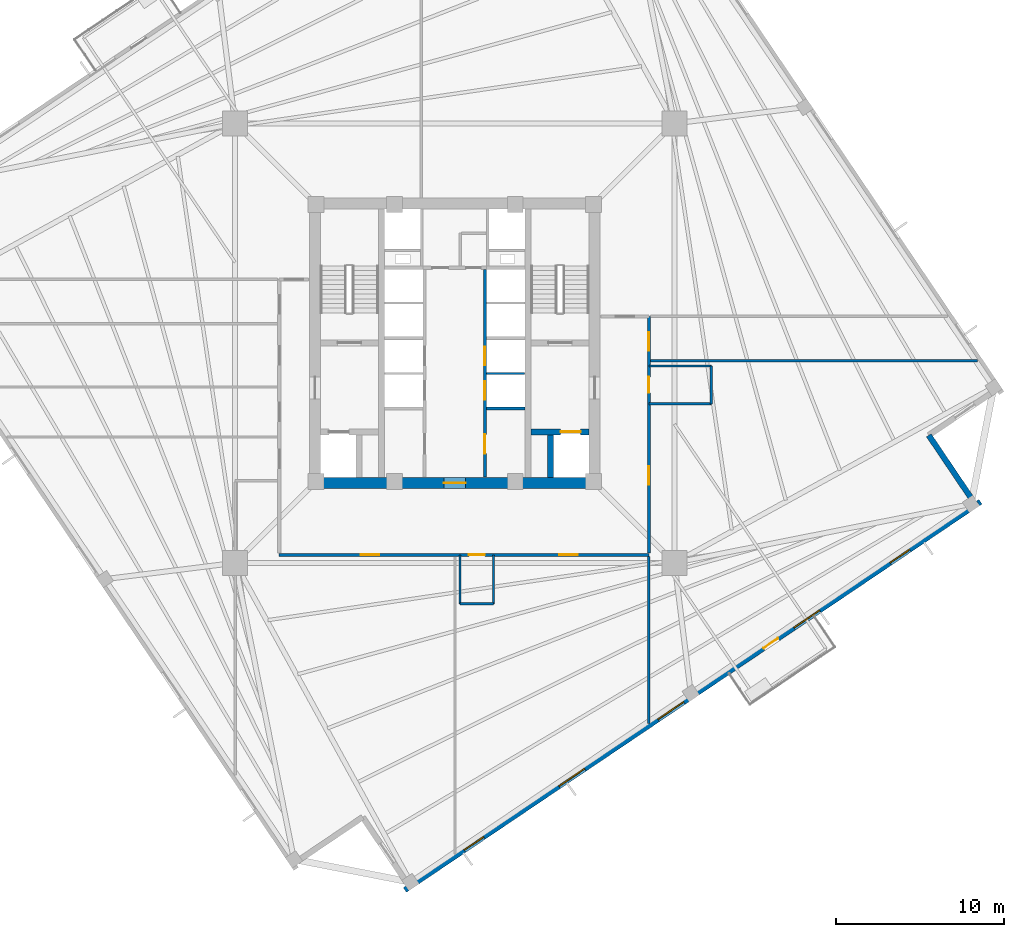
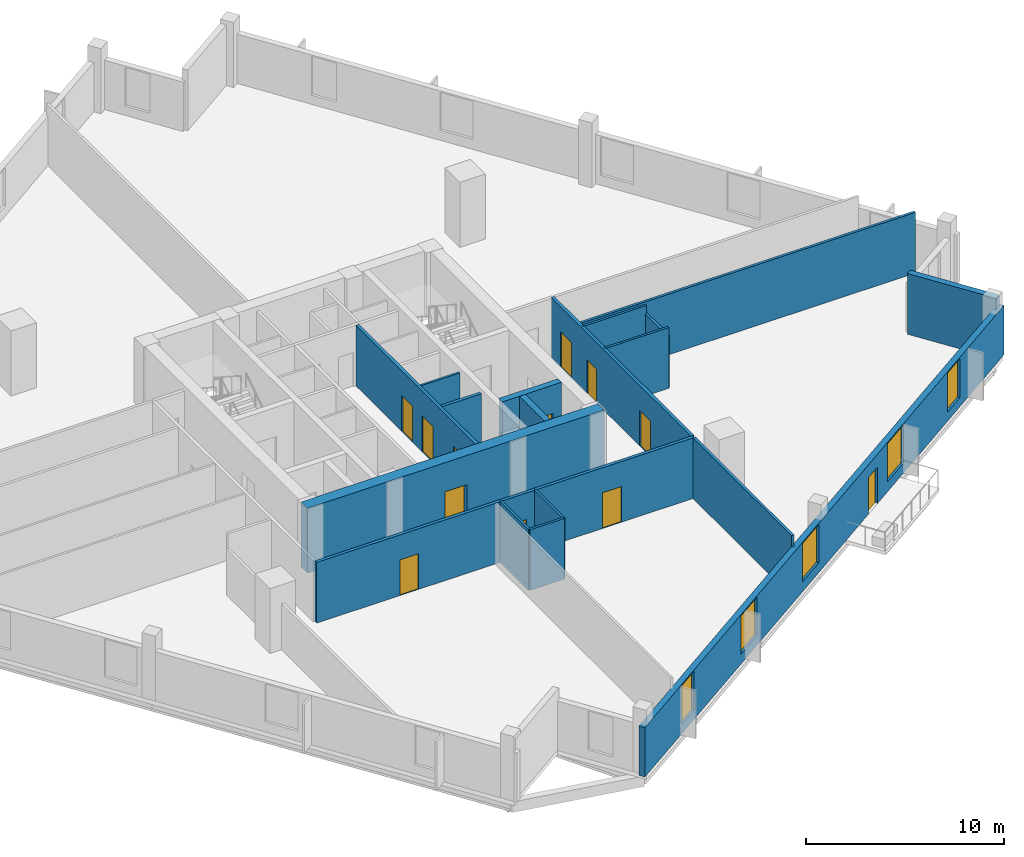
# One storey, part 3 of 8: 18 walls, 12 doors, 5 windows, 17 openings.
"""IFC4 building model written with IfcOpenShell, lengths in metres."""

import ifcopenshell
import ifcopenshell.guid

model = None  # the IFC model being written
_history = None  # IfcOwnerHistory: only IFC2X3 demands one
_inside = {}  # id of a spatial element -> (the spatial element, [elements in it])
_under = {}  # id of a project, library or spatial element -> (it, [spatial elements below it])
_declared = {}  # id of a project -> (the project, [libraries it declares])
_typed = {}  # id of a type object -> (the type object, [elements of that type])
_made_of = {}  # id of a material, layer set ... -> (it, [elements and type objects made of it])


def new_model(schema):
    """Start an empty IFC model of exactly this schema.

    Asked for "IFC4X3", IfcOpenShell would pick the latest addendum, in which some entities
    have other attributes; the version numbers below select the first issue.
    IFC2X3 requires an IfcOwnerHistory on every rooted entity: one is made here for all.
    """
    global model, _history
    if schema == "IFC4X3":
        model = ifcopenshell.file(schema_version=(4, 3, 0, 0))
    else:
        model = ifcopenshell.file(schema=schema)
    _inside.clear()
    _under.clear()
    _declared.clear()
    _typed.clear()
    _made_of.clear()
    _history = None
    if model.schema == "IFC2X3":
        org = make("IfcOrganization", Name="unknown")
        user = make(
            "IfcPersonAndOrganization",
            ThePerson=make("IfcPerson", FamilyName="unknown"),
            TheOrganization=org,
        )
        app = make(
            "IfcApplication",
            ApplicationDeveloper=org,
            Version="unknown",
            ApplicationFullName="unknown",
            ApplicationIdentifier="unknown",
        )
        _history = make(
            "IfcOwnerHistory",
            OwningUser=user,
            OwningApplication=app,
            ChangeAction="ADDED",
            CreationDate=0,
        )
    return model


def make(cls, **values):
    """One entity of the class cls with the attributes given. An attribute that is None is left unset."""
    return model.create_entity(
        cls, **{name: value for name, value in values.items() if value is not None}
    )


def rooted(cls, **values):
    """An entity with a GlobalId (a new one), such as an element, a storey or a relation."""
    return make(cls, GlobalId=ifcopenshell.guid.new(), OwnerHistory=_history, **values)


def si_unit(unit_type, name, prefix=None):
    """IfcSIUnit, for example si_unit("LENGTHUNIT", "METRE", prefix="MILLI")."""
    return make("IfcSIUnit", UnitType=unit_type, Prefix=prefix, Name=name)


def assignment(units):
    """IfcUnitAssignment: the units of a project."""
    return None if units is None else make("IfcUnitAssignment", Units=units)


def point(xyz):
    """IfcCartesianPoint."""
    return None if xyz is None else make("IfcCartesianPoint", Coordinates=xyz)


def direction(xyz):
    """IfcDirection."""
    return None if xyz is None else make("IfcDirection", DirectionRatios=xyz)


def frame(location, z_axis=None, x_axis=None):
    """IfcAxis2Placement3D, a coordinate frame: its origin and axes. An axis left out is left unset."""
    return make(
        "IfcAxis2Placement3D",
        Location=point(location),
        Axis=direction(z_axis),
        RefDirection=direction(x_axis),
    )


def frame_2d(location, x_axis=None):
    """IfcAxis2Placement2D, a coordinate frame in the plane: its origin and x axis."""
    return make(
        "IfcAxis2Placement2D", Location=point(location), RefDirection=direction(x_axis)
    )


def origin():
    """The frame at (0, 0, 0) with its axes left unset."""
    return frame((0.0, 0.0, 0.0))


def place(relative_to, where):
    """IfcLocalPlacement: puts the frame where relative to a parent placement (None: the world)."""
    return make(
        "IfcLocalPlacement", PlacementRelTo=relative_to, RelativePlacement=where
    )


def context(
    kind, dimensions, precision=None, world=None, true_north=None, identifier=None
):
    """IfcGeometricRepresentationContext, for example the 3D "Model" context."""
    return make(
        "IfcGeometricRepresentationContext",
        ContextIdentifier=identifier,
        ContextType=kind,
        CoordinateSpaceDimension=dimensions,
        Precision=precision,
        WorldCoordinateSystem=world,
        TrueNorth=true_north,
    )


def subcontext(parent, identifier, kind, view, scale=None):
    """IfcGeometricRepresentationSubContext, for example "Body" below "Model"."""
    return make(
        "IfcGeometricRepresentationSubContext",
        ContextIdentifier=identifier,
        ContextType=kind,
        ParentContext=parent,
        TargetScale=scale,
        TargetView=view,
    )


def project(units=None, contexts=None):
    """IfcProject with its units and contexts."""
    return rooted(
        "IfcProject",
        Name="project",
        RepresentationContexts=contexts,
        UnitsInContext=assignment(units),
    )


def spatial(cls, under=None, at=None, **own):
    """A site, building, storey or space (cls), placed at a placement, below another one or the project."""
    s = rooted(cls, ObjectPlacement=at, **own)
    if under is not None:
        _under.setdefault(under.id(), (under, []))[1].append(s)
    return s


def profile(cls, at=None, kind="AREA", **sizes):
    """A parametric profile (cls). Its sizes go by their IFC names, for example OverallWidth=200.0."""
    return make(cls, ProfileType=kind, Position=at, **sizes)


def rectangle(**sizes):
    """IfcRectangleProfileDef."""
    return profile("IfcRectangleProfileDef", **sizes)


def extrude(swept, where, along, depth):
    """IfcExtrudedAreaSolid: the profile swept, set in the frame where, extruded along a direction by depth."""
    return make(
        "IfcExtrudedAreaSolid",
        SweptArea=swept,
        Position=where,
        ExtrudedDirection=direction(along),
        Depth=depth,
    )


def shape(context_of_items, identifier, shape_type, items):
    """IfcShapeRepresentation: the items that make up one representation, for example the "Body"."""
    return make(
        "IfcShapeRepresentation",
        ContextOfItems=context_of_items,
        RepresentationIdentifier=identifier,
        RepresentationType=shape_type,
        Items=items,
    )


def source(mapping_origin, context_of_items, identifier, shape_type, items):
    """IfcRepresentationMap: a shape defined once, which mapped items show again and again."""
    return make(
        "IfcRepresentationMap",
        MappingOrigin=mapping_origin,
        MappedRepresentation=shape(context_of_items, identifier, shape_type, items),
    )


def transform(
    local_origin,
    x_axis=None,
    y_axis=None,
    z_axis=None,
    scale=None,
    scale2=None,
    scale3=None,
    uniform=True,
):
    """IfcCartesianTransformationOperator3D, or its non-uniform kind. x_axis, y_axis, z_axis: its Axis1, 2, 3."""
    if uniform:
        return make(
            "IfcCartesianTransformationOperator3D",
            Axis1=direction(x_axis),
            Axis2=direction(y_axis),
            LocalOrigin=point(local_origin),
            Scale=scale,
            Axis3=direction(z_axis),
        )
    return make(
        "IfcCartesianTransformationOperator3DnonUniform",
        Axis1=direction(x_axis),
        Axis2=direction(y_axis),
        LocalOrigin=point(local_origin),
        Scale=scale,
        Axis3=direction(z_axis),
        Scale2=scale2,
        Scale3=scale3,
    )


def mapped(mapping_source, mapping_target):
    """IfcMappedItem: shows the shape of a source again, moved by a transform."""
    return make(
        "IfcMappedItem", MappingSource=mapping_source, MappingTarget=mapping_target
    )


def material(Name=None, Category=None):
    """IfcMaterial."""
    return make("IfcMaterial", Name=Name, Category=Category)


def layer(
    of_material, thickness, ventilated=None, Name=None, Category=None, Priority=None
):
    """IfcMaterialLayer: one layer of a wall or slab, of a material (None: an air gap)."""
    return make(
        "IfcMaterialLayer",
        Material=of_material,
        LayerThickness=thickness,
        IsVentilated=ventilated,
        Name=Name,
        Category=Category,
        Priority=Priority,
    )


def layer_set(layers, Name=None):
    """IfcMaterialLayerSet."""
    return make("IfcMaterialLayerSet", MaterialLayers=layers, LayerSetName=Name)


def made_of(thing, what):
    """Note that an element or type object is made of a material, layer set ...; save() writes the relation."""
    if what is not None:
        _made_of.setdefault(what.id(), (what, []))[1].append(thing)
    return thing


def type_object(cls, material=None, **own):
    """A type object (cls), such as IfcWallType, which elements share."""
    return made_of(rooted(cls, **own), material)


def element(
    cls,
    number,
    at=None,
    inside=None,
    cuts=None,
    type_object=None,
    material=None,
    context=None,
    identifier="Body",
    shape_type=None,
    held_by="IfcProductDefinitionShape",
    body=None,
    shapes=None,
    **own,
):
    """One element of the class cls, such as IfcWall. Its Tag is "e" and its number.

    at: its placement. inside: the storey or other place that contains it. cuts: it is an
    opening in that element (IfcRelVoidsElement). A single representation is given by context,
    identifier, shape_type and body (its items); several are given by shapes. held_by: the class
    of the entity that holds the representations. save() writes the other relations.
    """
    e = rooted(cls, Tag="e%d" % number, ObjectPlacement=at, **own)
    if body is not None:
        shapes = [shape(context, identifier, shape_type, body)]
    if shapes is not None:
        e.Representation = make(held_by, Representations=shapes)
    if inside is not None:
        _inside.setdefault(inside.id(), (inside, []))[1].append(e)
    if cuts is not None:
        rooted(
            "IfcRelVoidsElement", RelatingBuildingElement=cuts, RelatedOpeningElement=e
        )
    if type_object is not None:
        _typed.setdefault(type_object.id(), (type_object, []))[1].append(e)
    return made_of(e, material)


def fill(opening, filler):
    """IfcRelFillsElement: the door or window that sits in an opening."""
    return rooted(
        "IfcRelFillsElement",
        RelatingOpeningElement=opening,
        RelatedBuildingElement=filler,
    )


def aggregate(whole, parts):
    """IfcRelAggregates: a whole, such as a stair, and the parts it consists of."""
    return rooted("IfcRelAggregates", RelatingObject=whole, RelatedObjects=parts)


def save(model, path):
    """Write the relations noted so far, then the file.

    IfcRelAggregates (storeys below a building ...), IfcRelContainedInSpatialStructure (elements
    in a storey), IfcRelDefinesByType, IfcRelAssociatesMaterial and IfcRelDeclares: one each for
    every whole, place, type object, material and project.
    """
    for whole, parts in _under.values():
        aggregate(whole, parts)
    for where, things in _inside.values():
        rooted(
            "IfcRelContainedInSpatialStructure",
            RelatedElements=things,
            RelatingStructure=where,
        )
    for kind, things in _typed.values():
        rooted("IfcRelDefinesByType", RelatedObjects=things, RelatingType=kind)
    for what, things in _made_of.values():
        rooted("IfcRelAssociatesMaterial", RelatedObjects=things, RelatingMaterial=what)
    for by, libraries in _declared.values():
        rooted("IfcRelDeclares", RelatingContext=by, RelatedDefinitions=libraries)
    model.write(path)


model = new_model("IFC4")

# Units and contexts
model_context = context("Model", 3, precision=1e-05, world=origin(), true_north=direction((0.0, 1.0)))
body_context = subcontext(model_context, "Body", "Model", "MODEL_VIEW")
ifc_project = project(units=[si_unit("LENGTHUNIT", "METRE"), si_unit("AREAUNIT", "SQUARE_METRE"), si_unit("VOLUMEUNIT", "CUBIC_METRE"), si_unit("PLANEANGLEUNIT", "RADIAN"), si_unit("MASSUNIT", "GRAM", prefix="KILO"), si_unit("THERMODYNAMICTEMPERATUREUNIT", "KELVIN")], contexts=[model_context])

# Site, building, storey
site_placement = place(None, origin())
site = spatial("IfcSite", under=ifc_project, at=site_placement, CompositionType="ELEMENT")
building_placement = place(site_placement, origin())
building = spatial("IfcBuilding", under=site, at=building_placement, Name="Kosmvard Interchange Tower", CompositionType="ELEMENT")
storey_placement = place(building_placement, frame((0.0, 0.0, 184.39990234375)))
storey = spatial("IfcBuildingStorey", under=building, at=storey_placement, Name="L44", CompositionType="ELEMENT", Elevation=184.39990234375)

# Walls
ifc_material_1 = material(Name="Acoustic gypsum partition system")
ifc_layer_1 = layer(ifc_material_1, 0.14990234375, Name="Acoustic gypsum partition system")
ifc_layer_set_1 = layer_set([ifc_layer_1], Name="Acoustic gypsum partition system")
wall_type_1 = type_object("IfcWallType", Name="Acoustic Suite & Meeting Partition 150", PredefinedType="PARTITIONING", material=ifc_layer_set_1)
wall_1_placement = place(storey_placement, frame((11.64501953125, -1.050048828125, 0.0), z_axis=(0.0, 0.0, 1.0), x_axis=(1.0, 0.0, 0.0)))
element("IfcWall", 1, at=wall_1_placement, inside=storey, type_object=wall_type_1, Name="L44 Room Partition 04.1", PredefinedType="PARTITIONING", context=body_context, shape_type="SweptSolid", body=[
    extrude(rectangle(XDim=19.489990234375, YDim=0.14990234375, at=frame_2d((9.7451171875, 0.0))), origin(), (0.0, 0.0, 1.0), 3.739990234375),
])
wall_2_placement = place(storey_placement, frame((11.550048828125, -22.63623046875, 0.0), z_axis=(0.0, 0.0, 1.0), x_axis=(0.0, 1.0, 0.0)))
element("IfcWall", 2, at=wall_2_placement, inside=storey, type_object=wall_type_1, Name="L44 Room Partition 11.1", PredefinedType="PARTITIONING", context=body_context, shape_type="SweptSolid", body=[
    extrude(rectangle(XDim=9.941162109375, YDim=0.14990234375, at=frame_2d((4.970703125, 0.0))), origin(), (0.0, 0.0, 1.0), 3.739990234375),
])

# Wall, openings, doors
ifc_material_2 = material(Name="Fire-rated gypsum partition system")
ifc_layer_2 = layer(ifc_material_2, 0.179931640625, Name="Fire-rated gypsum partition system")
ifc_layer_set_2 = layer_set([ifc_layer_2], Name="Fire-rated gypsum partition system")
wall_type_2 = type_object("IfcWallType", Name="Corridor & Hotel Compartment Partition 180", PredefinedType="PARTITIONING", material=ifc_layer_set_2)
wall_3_placement = place(storey_placement, frame((1.7900390625, -7.97998046875, 0.0), z_axis=(0.0, 0.0, 1.0), x_axis=(0.0, 1.0, 0.0)))
wall_3 = element("IfcWall", 3, at=wall_3_placement, inside=storey, type_object=wall_type_2, Name="L44 East Lift Bank Front Wall", PredefinedType="PARTITIONING", context=body_context, shape_type="SweptSolid", body=[
    extrude(rectangle(XDim=12.3798828125, YDim=0.179931640625, at=frame_2d((6.18994140625, 0.0))), origin(), (0.0, 0.0, 1.0), 3.739990234375),
])
opening_1_placement = place(wall_3_placement, frame((4.60009765625, 0.0, 0.0)))
opening_1 = element("IfcOpeningElement", 4, at=opening_1_placement, cuts=wall_3, Name="Opening LD-PL-M3-L44", PredefinedType="OPENING", context=body_context, shape_type="SweptSolid", body=[
    extrude(rectangle(XDim=1.10009765625, YDim=2.199951171875, at=frame_2d((0.550048828125, 1.10009765625))), frame((0.0, 0.10009765625, 0.0), z_axis=(0.0, -1.0, 0.0), x_axis=(1.0, 0.0, 0.0)), (0.0, 0.0, 1.0), 0.199951171875),
])
opening_2_placement = place(wall_3_placement, frame((6.659912109375, 0.0, 0.0)))
opening_2 = element("IfcOpeningElement", 5, at=opening_2_placement, cuts=wall_3, Name="Opening LD-PL-M4-L44", PredefinedType="OPENING", context=body_context, shape_type="SweptSolid", body=[
    extrude(rectangle(XDim=1.10009765625, YDim=2.199951171875, at=frame_2d((0.550048828125, 1.10009765625))), frame((0.0, 0.10009765625, 0.0), z_axis=(0.0, -1.0, 0.0), x_axis=(1.0, 0.0, 0.0)), (0.0, 0.0, 1.0), 0.199951171875),
])
opening_3_placement = place(wall_3_placement, frame((1.39990234375, 0.0, 0.0)))
opening_3 = element("IfcOpeningElement", 6, at=opening_3_placement, cuts=wall_3, Name="Opening L44-CD2", PredefinedType="OPENING", context=body_context, shape_type="SweptSolid", body=[
    extrude(rectangle(XDim=1.14990234375, YDim=2.25, at=frame_2d((0.574951171875, 1.125))), frame((0.0, 0.10009765625, 0.0), z_axis=(0.0, -1.0, 0.0), x_axis=(1.0, 0.0, 0.0)), (0.0, 0.0, 1.0), 0.199951171875),
])
ifc_material_3 = material(Name="Painted fire-rated steel leaf", Category="steel")
door_type_1 = type_object("IfcDoorType", Name="Plant & Riser Fire Door 1150x2250 EI60", OperationType="NOTDEFINED", PredefinedType="DOOR", material=ifc_material_3)
shared_shape_1 = source(origin(), body_context, "Body", "SweptSolid", [
    extrude(rectangle(XDim=1.14990234375, YDim=2.25, at=frame_2d((0.574951171875, 1.125))), frame((0.0, 0.02490234375, 0.0), z_axis=(0.0, -1.0, 0.0), x_axis=(1.0, 0.0, 0.0)), (0.0, 0.0, 1.0), 0.050048828125),
])
door_1_placement = place(opening_3_placement, frame((1.14990234375, 0.0, 0.0), z_axis=(0.0, 0.0, 1.0), x_axis=(-1.0, 0.0, 0.0)))
door_1 = element("IfcDoor", 7, at=door_1_placement, inside=storey, type_object=door_type_1, Name="L44 Core BMS Door", OperationType="SINGLE_SWING_RIGHT", OverallHeight=2.25, OverallWidth=1.14990234375, PredefinedType="DOOR", context=body_context, shape_type="MappedRepresentation", body=[
    mapped(shared_shape_1, transform((0.0, 0.0, 0.0), scale=1.0)),
])
fill(opening_3, door_1)
ifc_material_4 = material(Name="Brushed stainless steel sliding leaf", Category="steel")
door_type_2 = type_object("IfcDoorType", Name="Passenger Lift Sliding Landing Door 1100x2200 EI60", OperationType="DOUBLE_DOOR_SLIDING", PredefinedType="DOOR", material=ifc_material_4)
shared_shape_2 = source(origin(), body_context, "Body", "SweptSolid", [
    extrude(rectangle(XDim=1.10009765625, YDim=2.199951171875, at=frame_2d((0.550048828125, 1.10009765625))), frame((0.0, 0.02490234375, 0.0), z_axis=(0.0, -1.0, 0.0), x_axis=(1.0, 0.0, 0.0)), (0.0, 0.0, 1.0), 0.050048828125),
])
door_2_placement = place(opening_1_placement, origin())
door_2 = element("IfcDoor", 8, at=door_2_placement, inside=storey, type_object=door_type_2, Name="Lift PL-M3 Landing Door L44", OperationType="DOUBLE_DOOR_SLIDING", OverallHeight=2.199951171875, OverallWidth=1.10009765625, PredefinedType="DOOR", context=body_context, shape_type="MappedRepresentation", body=[
    mapped(shared_shape_2, transform((0.0, 0.0, 0.0), scale=1.0)),
])
fill(opening_1, door_2)
door_3_placement = place(opening_2_placement, origin())
door_3 = element("IfcDoor", 9, at=door_3_placement, inside=storey, type_object=door_type_2, Name="Lift PL-M4 Landing Door L44", OperationType="DOUBLE_DOOR_SLIDING", OverallHeight=2.199951171875, OverallWidth=1.10009765625, PredefinedType="DOOR", context=body_context, shape_type="MappedRepresentation", body=[
    mapped(shared_shape_2, transform((0.0, 0.0, 0.0), scale=1.0)),
])
fill(opening_2, door_3)

wall_4_placement = place(storey_placement, frame((-10.449951171875, -12.60009765625, 0.0), z_axis=(0.0, 0.0, 1.0), x_axis=(1.0, 0.0, 0.0)))
wall_4 = element("IfcWall", 10, at=wall_4_placement, inside=storey, type_object=wall_type_2, Name="L44 Corridor Wall CS", PredefinedType="PARTITIONING", context=body_context, shape_type="SweptSolid", body=[
    extrude(rectangle(XDim=22.0, YDim=0.179931640625, at=frame_2d((11.0, 0.0))), origin(), (0.0, 0.0, 1.0), 3.739990234375),
])
opening_4_placement = place(wall_4_placement, frame((11.2861328125, 0.0, 0.0)))
opening_4 = element("IfcOpeningElement", 11, at=opening_4_placement, cuts=wall_4, Name="Opening L44-D01", PredefinedType="OPENING", context=body_context, shape_type="SweptSolid", body=[
    extrude(rectangle(XDim=0.949951171875, YDim=2.10009765625, at=frame_2d((0.47509765625, 1.050048828125))), frame((0.0, 0.10009765625, 0.0), z_axis=(0.0, -1.0, 0.0), x_axis=(1.0, 0.0, 0.0)), (0.0, 0.0, 1.0), 0.199951171875),
])
opening_5_placement = place(wall_4_placement, frame((4.83935546875, 0.0, 0.0)))
opening_5 = element("IfcOpeningElement", 12, at=opening_5_placement, cuts=wall_4, Name="Opening L44-D10", PredefinedType="OPENING", context=body_context, shape_type="SweptSolid", body=[
    extrude(rectangle(XDim=1.10009765625, YDim=2.199951171875, at=frame_2d((0.550048828125, 1.10009765625))), frame((0.0, 0.10009765625, 0.0), z_axis=(0.0, -1.0, 0.0), x_axis=(1.0, 0.0, 0.0)), (0.0, 0.0, 1.0), 0.199951171875),
])
opening_6_placement = place(wall_4_placement, frame((16.66015625, 0.0, 0.0)))
opening_6 = element("IfcOpeningElement", 13, at=opening_6_placement, cuts=wall_4, Name="Opening L44-D11", PredefinedType="OPENING", context=body_context, shape_type="SweptSolid", body=[
    extrude(rectangle(XDim=1.10009765625, YDim=2.199951171875, at=frame_2d((0.550048828125, 1.10009765625))), frame((0.0, 0.10009765625, 0.0), z_axis=(0.0, -1.0, 0.0), x_axis=(1.0, 0.0, 0.0)), (0.0, 0.0, 1.0), 0.199951171875),
])
ifc_material_5 = material(Name="Laminated moisture-resistant timber", Category="wood")
door_type_3 = type_object("IfcDoorType", Name="Accessible Washroom Door 950x2100", OperationType="NOTDEFINED", PredefinedType="DOOR", material=ifc_material_5)
shared_shape_3 = source(origin(), body_context, "Body", "SweptSolid", [
    extrude(rectangle(XDim=0.949951171875, YDim=2.10009765625, at=frame_2d((0.47509765625, 1.050048828125))), frame((0.0, 0.02490234375, 0.0), z_axis=(0.0, -1.0, 0.0), x_axis=(1.0, 0.0, 0.0)), (0.0, 0.0, 1.0), 0.050048828125),
])
door_4_placement = place(opening_4_placement, frame((0.949951171875, 0.0, 0.0), z_axis=(0.0, 0.0, 1.0), x_axis=(-1.0, 0.0, 0.0)))
door_4 = element("IfcDoor", 14, at=door_4_placement, inside=storey, type_object=door_type_3, Name="L44 Accessible Toilet Door", OperationType="SINGLE_SWING_LEFT", OverallHeight=2.10009765625, OverallWidth=0.949951171875, PredefinedType="DOOR", context=body_context, shape_type="MappedRepresentation", body=[
    mapped(shared_shape_3, transform((0.0, 0.0, 0.0), scale=1.0)),
])
fill(opening_4, door_4)
ifc_material_6 = material(Name="Engineered oak fire-rated timber", Category="wood")
door_type_4 = type_object("IfcDoorType", Name="Office Suite Entrance Door 1100x2200 FD30S", OperationType="NOTDEFINED", PredefinedType="DOOR", material=ifc_material_6)
door_5_placement = place(opening_5_placement, frame((1.10009765625, 0.0, 0.0), z_axis=(0.0, 0.0, 1.0), x_axis=(-1.0, 0.0, 0.0)))
door_5 = element("IfcDoor", 15, at=door_5_placement, inside=storey, type_object=door_type_4, Name="L44 Sky Terrace Espresso Cafe Door", OperationType="SINGLE_SWING_RIGHT", OverallHeight=2.199951171875, OverallWidth=1.10009765625, PredefinedType="DOOR", context=body_context, shape_type="MappedRepresentation", body=[
    mapped(shared_shape_2, transform((0.0, 0.0, 0.0), scale=1.0)),
])
fill(opening_5, door_5)
door_6_placement = place(opening_6_placement, frame((1.10009765625, 0.0, 0.0), z_axis=(0.0, 0.0, 1.0), x_axis=(-1.0, 0.0, 0.0)))
door_6 = element("IfcDoor", 16, at=door_6_placement, inside=storey, type_object=door_type_4, Name="L44 Operations Boardroom 1 Door", OperationType="SINGLE_SWING_LEFT", OverallHeight=2.199951171875, OverallWidth=1.10009765625, PredefinedType="DOOR", context=body_context, shape_type="MappedRepresentation", body=[
    mapped(shared_shape_2, transform((0.0, 0.0, 0.0), scale=1.0)),
])
fill(opening_6, door_6)

wall_5_placement = place(storey_placement, frame((11.550048828125, -12.5, 0.0), z_axis=(0.0, 0.0, 1.0), x_axis=(0.0, 1.0, 0.0)))
wall_5 = element("IfcWall", 17, at=wall_5_placement, inside=storey, type_object=wall_type_2, Name="L44 Corridor Wall CE", PredefinedType="PARTITIONING", context=body_context, shape_type="SweptSolid", body=[
    extrude(rectangle(XDim=14.10009765625, YDim=0.179931640625, at=frame_2d((7.050048828125, 0.0))), origin(), (0.0, 0.0, 1.0), 3.739990234375),
])
opening_7_placement = place(wall_5_placement, frame((9.538818359375, 0.0, 0.0)))
opening_7 = element("IfcOpeningElement", 18, at=opening_7_placement, cuts=wall_5, Name="Opening L44-D02", PredefinedType="OPENING", context=body_context, shape_type="SweptSolid", body=[
    extrude(rectangle(XDim=0.949951171875, YDim=2.10009765625, at=frame_2d((0.47509765625, 1.050048828125))), frame((0.0, 0.10009765625, 0.0), z_axis=(0.0, -1.0, 0.0), x_axis=(1.0, 0.0, 0.0)), (0.0, 0.0, 1.0), 0.199951171875),
])
opening_8_placement = place(wall_5_placement, frame((12.060546875, 0.0, 0.0)))
opening_8 = element("IfcOpeningElement", 19, at=opening_8_placement, cuts=wall_5, Name="Opening L44-D06", PredefinedType="OPENING", context=body_context, shape_type="SweptSolid", body=[
    extrude(rectangle(XDim=1.10009765625, YDim=2.199951171875, at=frame_2d((0.550048828125, 1.10009765625))), frame((0.0, 0.10009765625, 0.0), z_axis=(0.0, -1.0, 0.0), x_axis=(1.0, 0.0, 0.0)), (0.0, 0.0, 1.0), 0.199951171875),
])
opening_9_placement = place(wall_5_placement, frame((4.06494140625, 0.0, 0.0)))
opening_9 = element("IfcOpeningElement", 20, at=opening_9_placement, cuts=wall_5, Name="Opening L44-D12", PredefinedType="OPENING", context=body_context, shape_type="SweptSolid", body=[
    extrude(rectangle(XDim=1.10009765625, YDim=2.199951171875, at=frame_2d((0.550048828125, 1.10009765625))), frame((0.0, 0.10009765625, 0.0), z_axis=(0.0, -1.0, 0.0), x_axis=(1.0, 0.0, 0.0)), (0.0, 0.0, 1.0), 0.199951171875),
])
door_7_placement = place(opening_7_placement, frame((0.949951171875, 0.0, 0.0), z_axis=(0.0, 0.0, 1.0), x_axis=(-1.0, 0.0, 0.0)))
door_7 = element("IfcDoor", 21, at=door_7_placement, inside=storey, type_object=door_type_3, Name="L44 Public Floor Washroom Door", OperationType="SINGLE_SWING_RIGHT", OverallHeight=2.10009765625, OverallWidth=0.949951171875, PredefinedType="DOOR", context=body_context, shape_type="MappedRepresentation", body=[
    mapped(shared_shape_3, transform((0.0, 0.0, 0.0), scale=1.0)),
])
fill(opening_7, door_7)
door_8_placement = place(opening_8_placement, frame((1.10009765625, 0.0, 0.0), z_axis=(0.0, 0.0, 1.0), x_axis=(-1.0, 0.0, 0.0)))
door_8 = element("IfcDoor", 22, at=door_8_placement, inside=storey, type_object=door_type_4, Name="L44 Tech Staff Fitness Studio Door", OperationType="SINGLE_SWING_RIGHT", OverallHeight=2.199951171875, OverallWidth=1.10009765625, PredefinedType="DOOR", context=body_context, shape_type="MappedRepresentation", body=[
    mapped(shared_shape_2, transform((0.0, 0.0, 0.0), scale=1.0)),
])
fill(opening_8, door_8)
door_9_placement = place(opening_9_placement, frame((1.10009765625, 0.0, 0.0), z_axis=(0.0, 0.0, 1.0), x_axis=(-1.0, 0.0, 0.0)))
door_9 = element("IfcDoor", 23, at=door_9_placement, inside=storey, type_object=door_type_4, Name="L44 South-East Open DevOps Studio Door", OperationType="SINGLE_SWING_RIGHT", OverallHeight=2.199951171875, OverallWidth=1.10009765625, PredefinedType="DOOR", context=body_context, shape_type="MappedRepresentation", body=[
    mapped(shared_shape_2, transform((0.0, 0.0, 0.0), scale=1.0)),
])
fill(opening_9, door_9)

# Wall, opening, door
ifc_material_7 = material(Name="Concrete C70/85", Category="concrete")
ifc_layer_3 = layer(ifc_material_7, 0.64990234375, Name="Concrete C70/85")
ifc_layer_set_3 = layer_set([ifc_layer_3], Name="Concrete C70/85")
wall_type_3 = type_object("IfcWallType", Name="Mid Core Shear Wall 650 C70/85", PredefinedType="SHEAR", material=ifc_layer_set_3)
wall_6_placement = place(storey_placement, frame((-8.64990234375, -8.324951171875, 0.0), z_axis=(0.0, 0.0, 1.0), x_axis=(1.0, 0.0, 0.0)))
wall_6 = element("IfcWall", 24, at=wall_6_placement, inside=storey, type_object=wall_type_3, Name="L44 Core Shear Wall CW-S", PredefinedType="SHEAR", context=body_context, shape_type="SweptSolid", body=[
    extrude(rectangle(XDim=17.2998046875, YDim=0.64990234375, at=frame_2d((8.64990234375, 0.0))), origin(), (0.0, 0.0, 1.0), 4.0),
])
opening_10_placement = place(wall_6_placement, frame((8.0, 0.0, 0.0)))
opening_10 = element("IfcOpeningElement", 25, at=opening_10_placement, cuts=wall_6, Name="Opening L44-LD0", PredefinedType="OPENING", context=body_context, shape_type="SweptSolid", body=[
    extrude(rectangle(XDim=1.300048828125, YDim=2.199951171875, at=frame_2d((0.64990234375, 1.10009765625))), frame((0.0, 0.3349609375, 0.0), z_axis=(0.0, -1.0, 0.0), x_axis=(1.0, 0.0, 0.0)), (0.0, 0.0, 1.0), 0.669921875),
])
door_type_5 = type_object("IfcDoorType", Name="Firefighting Lobby Door 1300x2200 EI60", OperationType="NOTDEFINED", PredefinedType="DOOR", material=ifc_material_3)
shared_shape_4 = source(origin(), body_context, "Body", "SweptSolid", [
    extrude(rectangle(XDim=1.300048828125, YDim=2.199951171875, at=frame_2d((0.64990234375, 1.10009765625))), frame((0.0, 0.02490234375, 0.0), z_axis=(0.0, -1.0, 0.0), x_axis=(1.0, 0.0, 0.0)), (0.0, 0.0, 1.0), 0.050048828125),
])
door_10_placement = place(opening_10_placement, frame((1.300048828125, 0.0, 0.0), z_axis=(0.0, 0.0, 1.0), x_axis=(-1.0, 0.0, 0.0)))
door_10 = element("IfcDoor", 26, at=door_10_placement, inside=storey, type_object=door_type_5, Name="L44 Passenger Lift Lobby South Door", OperationType="SINGLE_SWING_RIGHT", OverallHeight=2.199951171875, OverallWidth=1.300048828125, PredefinedType="DOOR", context=body_context, shape_type="MappedRepresentation", body=[
    mapped(shared_shape_4, transform((0.0, 0.0, 0.0), scale=1.0)),
])
fill(opening_10, door_10)

# Wall, openings, door, windows
ifc_material_8 = material(Name="Precast concrete C45/55", Category="concrete")
ifc_layer_4 = layer(ifc_material_8, 0.340087890625, Name="Precast concrete C45/55")
ifc_layer_set_4 = layer_set([ifc_layer_4], Name="Precast concrete C45/55")
wall_type_4 = type_object("IfcWallType", Name="Mid Tower Precast Pier Wall 340 C45/55", PredefinedType="STANDARD", material=ifc_layer_set_4)
wall_7_placement = place(storey_placement, frame((-2.971923828125, -32.55810546875, 0.0), z_axis=(0.0, 0.0, 1.0), x_axis=(0.829036218961, 0.559194910251, 0.0)))
wall_7 = element("IfcWall", 27, at=wall_7_placement, inside=storey, type_object=wall_type_4, Name="L44 Precast Facade Wall F-S", PredefinedType="STANDARD", context=body_context, shape_type="SweptSolid", body=[
    extrude(rectangle(XDim=41.340087890625, YDim=0.340087890625, at=frame_2d((20.669921875, 0.0))), origin(), (0.0, 0.0, 1.0), 3.0400390625),
])
opening_11_placement = place(wall_7_placement, frame((25.7451171875, 0.0, 0.0)))
opening_11 = element("IfcOpeningElement", 28, at=opening_11_placement, cuts=wall_7, Name="Opening L44-BDW", PredefinedType="OPENING", context=body_context, shape_type="SweptSolid", body=[
    extrude(rectangle(XDim=1.050048828125, YDim=2.25, at=frame_2d((0.52490234375, 1.125))), frame((0.0, 0.18017578125, 0.0), z_axis=(0.0, -1.0, 0.0), x_axis=(1.0, 0.0, 0.0)), (0.0, 0.0, 1.0), 0.360107421875),
])
opening_12_placement = place(wall_7_placement, frame((4.2607421875, 0.0, 0.56005859375)))
opening_12 = element("IfcOpeningElement", 29, at=opening_12_placement, cuts=wall_7, Name="Opening L44-W01", PredefinedType="OPENING", context=body_context, shape_type="SweptSolid", body=[
    extrude(rectangle(XDim=1.39990234375, YDim=2.39990234375, at=frame_2d((0.699951171875, 1.199951171875))), frame((0.0, 0.18017578125, 0.0), z_axis=(0.0, -1.0, 0.0), x_axis=(1.0, 0.0, 0.0)), (0.0, 0.0, 1.0), 0.360107421875),
])
opening_13_placement = place(wall_7_placement, frame((11.063720703125, 0.0, 0.610107421875)))
opening_13 = element("IfcOpeningElement", 30, at=opening_13_placement, cuts=wall_7, Name="Opening L44-W02", PredefinedType="OPENING", context=body_context, shape_type="SweptSolid", body=[
    extrude(rectangle(XDim=1.85009765625, YDim=2.35009765625, at=frame_2d((0.925048828125, 1.175048828125))), frame((0.0, 0.18017578125, 0.0), z_axis=(0.0, -1.0, 0.0), x_axis=(1.0, 0.0, 0.0)), (0.0, 0.0, 1.0), 0.360107421875),
])
opening_14_placement = place(wall_7_placement, frame((18.168212890625, 0.0, 0.610107421875)))
opening_14 = element("IfcOpeningElement", 31, at=opening_14_placement, cuts=wall_7, Name="Opening L44-W03", PredefinedType="OPENING", context=body_context, shape_type="SweptSolid", body=[
    extrude(rectangle(XDim=1.85009765625, YDim=2.35009765625, at=frame_2d((0.925048828125, 1.175048828125))), frame((0.0, 0.18017578125, 0.0), z_axis=(0.0, -1.0, 0.0), x_axis=(1.0, 0.0, 0.0)), (0.0, 0.0, 1.0), 0.360107421875),
])
opening_15_placement = place(wall_7_placement, frame((27.936279296875, 0.0, 0.610107421875)))
opening_15 = element("IfcOpeningElement", 32, at=opening_15_placement, cuts=wall_7, Name="Opening L44-W04", PredefinedType="OPENING", context=body_context, shape_type="SweptSolid", body=[
    extrude(rectangle(XDim=1.85009765625, YDim=2.35009765625, at=frame_2d((0.925048828125, 1.175048828125))), frame((0.0, 0.18017578125, 0.0), z_axis=(0.0, -1.0, 0.0), x_axis=(1.0, 0.0, 0.0)), (0.0, 0.0, 1.0), 0.360107421875),
])
opening_16_placement = place(wall_7_placement, frame((34.852294921875, 0.0, 0.56005859375)))
opening_16 = element("IfcOpeningElement", 33, at=opening_16_placement, cuts=wall_7, Name="Opening L44-W05", PredefinedType="OPENING", context=body_context, shape_type="SweptSolid", body=[
    extrude(rectangle(XDim=1.39990234375, YDim=2.39990234375, at=frame_2d((0.699951171875, 1.199951171875))), frame((0.0, 0.18017578125, 0.0), z_axis=(0.0, -1.0, 0.0), x_axis=(1.0, 0.0, 0.0)), (0.0, 0.0, 1.0), 0.360107421875),
])
ifc_material_9 = material(Name="Anodised aluminium and safety glass", Category="aluminium")
door_type_6 = type_object("IfcDoorType", Name="Tree-Balcony Glazed Door 1050x2250", OperationType="NOTDEFINED", PredefinedType="DOOR", material=ifc_material_9)
shared_shape_5 = source(origin(), body_context, "Body", "SweptSolid", [
    extrude(rectangle(XDim=1.050048828125, YDim=2.25, at=frame_2d((0.52490234375, 1.125))), frame((0.0, 0.02490234375, 0.0), z_axis=(0.0, -1.0, 0.0), x_axis=(1.0, 0.0, 0.0)), (0.0, 0.0, 1.0), 0.050048828125),
])
door_11_placement = place(opening_11_placement, origin())
door_11 = element("IfcDoor", 34, at=door_11_placement, inside=storey, type_object=door_type_6, Name="L44 Tree-Balcony Door BAL-L44-SW", OperationType="SINGLE_SWING_LEFT", OverallHeight=2.25, OverallWidth=1.050048828125, PredefinedType="DOOR", context=body_context, shape_type="MappedRepresentation", body=[
    mapped(shared_shape_5, transform((0.0, 0.0, 0.0), scale=1.0)),
])
fill(opening_11, door_11)
ifc_material_10 = material(Name="Low-E solar-control double glazing", Category="glass")
window_type_1 = type_object("IfcWindowType", Name="Notched Corner Feature Window 1400x2400", PartitioningType="SINGLE_PANEL", PredefinedType="WINDOW", material=ifc_material_10)
shared_shape_6 = source(origin(), body_context, "Body", "SweptSolid", [
    extrude(rectangle(XDim=1.39990234375, YDim=2.39990234375, at=frame_2d((0.699951171875, 1.199951171875))), frame((0.0, 0.030029296875, 0.0), z_axis=(0.0, -1.0, 0.0), x_axis=(1.0, 0.0, 0.0)), (0.0, 0.0, 1.0), 0.06005859375),
])
window_1_placement = place(opening_12_placement, origin())
window_1 = element("IfcWindow", 35, at=window_1_placement, inside=storey, type_object=window_type_1, Name="L44 Facade Punched Window 01", OverallHeight=2.39990234375, OverallWidth=1.39990234375, PartitioningType="SINGLE_PANEL", PredefinedType="WINDOW", context=body_context, shape_type="MappedRepresentation", body=[
    mapped(shared_shape_6, transform((0.0, 0.0, 0.0), scale=1.0)),
])
fill(opening_12, window_1)
window_2_placement = place(opening_16_placement, origin())
window_2 = element("IfcWindow", 36, at=window_2_placement, inside=storey, type_object=window_type_1, Name="L44 Facade Punched Window 05", OverallHeight=2.39990234375, OverallWidth=1.39990234375, PartitioningType="SINGLE_PANEL", PredefinedType="WINDOW", context=body_context, shape_type="MappedRepresentation", body=[
    mapped(shared_shape_6, transform((0.0, 0.0, 0.0), scale=1.0)),
])
fill(opening_16, window_2)
window_type_2 = type_object("IfcWindowType", Name="Zone 3 Office Punched Window 1850x2350", PartitioningType="SINGLE_PANEL", PredefinedType="WINDOW", material=ifc_material_10)
shared_shape_7 = source(origin(), body_context, "Body", "SweptSolid", [
    extrude(rectangle(XDim=1.85009765625, YDim=2.35009765625, at=frame_2d((0.925048828125, 1.175048828125))), frame((0.0, 0.030029296875, 0.0), z_axis=(0.0, -1.0, 0.0), x_axis=(1.0, 0.0, 0.0)), (0.0, 0.0, 1.0), 0.06005859375),
])
window_3_placement = place(opening_13_placement, origin())
window_3 = element("IfcWindow", 37, at=window_3_placement, inside=storey, type_object=window_type_2, Name="L44 Facade Punched Window 02", OverallHeight=2.35009765625, OverallWidth=1.85009765625, PartitioningType="SINGLE_PANEL", PredefinedType="WINDOW", context=body_context, shape_type="MappedRepresentation", body=[
    mapped(shared_shape_7, transform((0.0, 0.0, 0.0), scale=1.0)),
])
fill(opening_13, window_3)
window_4_placement = place(opening_14_placement, origin())
window_4 = element("IfcWindow", 38, at=window_4_placement, inside=storey, type_object=window_type_2, Name="L44 Facade Punched Window 03", OverallHeight=2.35009765625, OverallWidth=1.85009765625, PartitioningType="SINGLE_PANEL", PredefinedType="WINDOW", context=body_context, shape_type="MappedRepresentation", body=[
    mapped(shared_shape_7, transform((0.0, 0.0, 0.0), scale=1.0)),
])
fill(opening_14, window_4)
window_5_placement = place(opening_15_placement, origin())
window_5 = element("IfcWindow", 39, at=window_5_placement, inside=storey, type_object=window_type_2, Name="L44 Facade Punched Window 04", OverallHeight=2.35009765625, OverallWidth=1.85009765625, PartitioningType="SINGLE_PANEL", PredefinedType="WINDOW", context=body_context, shape_type="MappedRepresentation", body=[
    mapped(shared_shape_7, transform((0.0, 0.0, 0.0), scale=1.0)),
])
fill(opening_15, window_5)

# Walls
wall_8_placement = place(storey_placement, frame((31.018798828125, -9.631103515625, 0.0), z_axis=(0.0, 0.0, 1.0), x_axis=(-0.559210350234, 0.829025804298, 0.0)))
element("IfcWall", 40, at=wall_8_placement, inside=storey, type_object=wall_type_4, Name="L44 Precast Facade Wall N-SE1", PredefinedType="STANDARD", context=body_context, shape_type="SweptSolid", body=[
    extrude(rectangle(XDim=5.000244140625, YDim=0.340087890625, at=frame_2d((2.5, 0.0))), origin(), (0.0, 0.0, 1.0), 3.739990234375),
])
ifc_material_11 = material(Name="Concrete blockwork masonry", Category="masonry")
ifc_layer_5 = layer(ifc_material_11, 0.179931640625, Name="Concrete blockwork masonry")
ifc_layer_set_5 = layer_set([ifc_layer_5], Name="Concrete blockwork masonry")
wall_type_5 = type_object("IfcWallType", Name="Riser & Lift Bank Divider Wall 180", PredefinedType="PARTITIONING", material=ifc_layer_set_5)
wall_9_placement = place(storey_placement, frame((1.889892578125, -3.89990234375, 0.0), z_axis=(0.0, 0.0, 1.0), x_axis=(1.0, 0.0, 0.0)))
element("IfcWall", 41, at=wall_9_placement, inside=storey, type_object=wall_type_5, Name="L44 East Bank Divider BD1", PredefinedType="PARTITIONING", context=body_context, shape_type="SweptSolid", body=[
    extrude(rectangle(XDim=2.280029296875, YDim=0.179931640625, at=frame_2d((1.14013671875, 0.0))), origin(), (0.0, 0.0, 1.0), 3.739990234375),
])
ifc_material_12 = material(Name="Fire-rated gypsum shaftwall system")
ifc_layer_6 = layer(ifc_material_12, 0.1201171875, Name="Fire-rated gypsum shaftwall system")
ifc_layer_set_6 = layer_set([ifc_layer_6], Name="Fire-rated gypsum shaftwall system")
wall_type_6 = type_object("IfcWallType", Name="Shaft & Riser Fire Partition 120 EI60", PredefinedType="PARTITIONING", material=ifc_layer_set_6)
wall_10_placement = place(storey_placement, frame((1.89990234375, -1.800048828125, 0.0), z_axis=(0.0, 0.0, 1.0), x_axis=(1.0, 0.0, 0.0)))
element("IfcWall", 42, at=wall_10_placement, inside=storey, type_object=wall_type_6, Name="L44 Shaft Divider PL-M3", PredefinedType="PARTITIONING", context=body_context, shape_type="SweptSolid", body=[
    extrude(rectangle(XDim=2.260009765625, YDim=0.1201171875, at=frame_2d((1.1298828125, 0.0))), origin(), (0.0, 0.0, 1.0), 3.739990234375),
])

# Wall, opening, door
ifc_material_13 = material(Name="Concrete C60/75", Category="concrete")
ifc_layer_7 = layer(ifc_material_13, 0.360107421875, Name="Concrete C60/75")
ifc_layer_set_7 = layer_set([ifc_layer_7], Name="Concrete C60/75")
wall_type_7 = type_object("IfcWallType", Name="Stair & Lift Shaft Shear Wall 360 C60/75", PredefinedType="SHEAR", material=ifc_layer_set_7)
wall_11_placement = place(storey_placement, frame((4.5400390625, -5.280029296875, 0.0), z_axis=(0.0, 0.0, 1.0), x_axis=(1.0, 0.0, 0.0)))
wall_11 = element("IfcWall", 43, at=wall_11_placement, inside=storey, type_object=wall_type_7, Name="L44 Shaft Shear Wall SW-FF2", PredefinedType="SHEAR", context=body_context, shape_type="SweptSolid", body=[
    extrude(rectangle(XDim=3.4599609375, YDim=0.360107421875, at=frame_2d((1.72998046875, 0.0))), origin(), (0.0, 0.0, 1.0), 4.0),
])
opening_17_placement = place(wall_11_placement, frame((1.760009765625, 0.0, 0.0)))
opening_17 = element("IfcOpeningElement", 44, at=opening_17_placement, cuts=wall_11, Name="Opening LD-FF-2-L44", PredefinedType="OPENING", context=body_context, shape_type="SweptSolid", body=[
    extrude(rectangle(XDim=1.199951171875, YDim=2.25, at=frame_2d((0.60009765625, 1.125))), frame((0.0, 0.18994140625, 0.0), z_axis=(0.0, -1.0, 0.0), x_axis=(1.0, 0.0, 0.0)), (0.0, 0.0, 1.0), 0.380126953125),
])
door_type_7 = type_object("IfcDoorType", Name="Firefighting Lift Sliding Landing Door 1200x2250 EI120", OperationType="DOUBLE_DOOR_SLIDING", PredefinedType="DOOR", material=ifc_material_4)
shared_shape_8 = source(origin(), body_context, "Body", "SweptSolid", [
    extrude(rectangle(XDim=1.199951171875, YDim=2.25, at=frame_2d((0.60009765625, 1.125))), frame((0.0, 0.02490234375, 0.0), z_axis=(0.0, -1.0, 0.0), x_axis=(1.0, 0.0, 0.0)), (0.0, 0.0, 1.0), 0.050048828125),
])
door_12_placement = place(opening_17_placement, origin())
door_12 = element("IfcDoor", 45, at=door_12_placement, inside=storey, type_object=door_type_7, Name="Lift FF-2 Landing Door L44", OperationType="DOUBLE_DOOR_SLIDING", OverallHeight=2.25, OverallWidth=1.199951171875, PredefinedType="DOOR", context=body_context, shape_type="MappedRepresentation", body=[
    mapped(shared_shape_8, transform((0.0, 0.0, 0.0), scale=1.0)),
])
fill(opening_17, door_12)

# Walls
wall_12_placement = place(storey_placement, frame((5.7099609375, -8.0, 0.0), z_axis=(0.0, 0.0, 1.0), x_axis=(0.0, 1.0, 0.0)))
element("IfcWall", 46, at=wall_12_placement, inside=storey, type_object=wall_type_7, Name="L44 Shaft Shear Wall SW-SM2", PredefinedType="SHEAR", context=body_context, shape_type="SweptSolid", body=[
    extrude(rectangle(XDim=2.5400390625, YDim=0.360107421875, at=frame_2d((1.27001953125, 0.0))), origin(), (0.0, 0.0, 1.0), 4.0),
])
ifc_material_14 = material(Name="Moisture-resistant gypsum partition")
ifc_layer_8 = layer(ifc_material_14, 0.135009765625, Name="Moisture-resistant gypsum partition")
ifc_layer_set_8 = layer_set([ifc_layer_8], Name="Moisture-resistant gypsum partition")
wall_type_8 = type_object("IfcWallType", Name="Wet Room Moisture-Resistant Partition 135", PredefinedType="PARTITIONING", material=ifc_layer_set_8)
wall_13_placement = place(storey_placement, frame((0.31103515625, -15.52001953125, 0.0), z_axis=(0.0, 0.0, 1.0), x_axis=(1.0, 0.0, 0.0)))
element("IfcWall", 47, at=wall_13_placement, inside=storey, type_object=wall_type_8, Name="L44 Washroom Partition AWC1-S", PredefinedType="PARTITIONING", context=body_context, shape_type="SweptSolid", body=[
    extrude(rectangle(XDim=2.0, YDim=0.135009765625, at=frame_2d((1.0, 0.0))), origin(), (0.0, 0.0, 1.0), 3.739990234375),
])
for number, where, z_axis, x_axis, name in (
    (48, (2.31103515625, -15.52001953125, 0.0), (0.0, 0.0, 1.0), (0.0, 1.0, 0.0), "L44 Washroom Partition AWC1-E"),
    (49, (0.31103515625, -15.52001953125, 0.0), (0.0, 0.0, 1.0), (0.0, 1.0, 0.0), "L44 Washroom Partition AWC1-W"),
):
    element("IfcWall", number, at=place(storey_placement, frame(where, z_axis=z_axis, x_axis=x_axis)), inside=storey, type_object=wall_type_8, Name=name, PredefinedType="PARTITIONING", context=body_context, shape_type="SweptSolid", body=[
        extrude(rectangle(XDim=2.89990234375, YDim=0.135009765625, at=frame_2d((1.449951171875, 0.0))), origin(), (0.0, 0.0, 1.0), 3.739990234375),
    ])
wall_14_placement = place(storey_placement, frame((11.570068359375, -3.611083984375, 0.0), z_axis=(0.0, 0.0, 1.0), x_axis=(1.0, 0.0, 0.0)))
element("IfcWall", 50, at=wall_14_placement, inside=storey, type_object=wall_type_8, Name="L44 Washroom Partition WC1-S", PredefinedType="PARTITIONING", context=body_context, shape_type="SweptSolid", body=[
    extrude(rectangle(XDim=3.699951171875, YDim=0.135009765625, at=frame_2d((1.85009765625, 0.0))), origin(), (0.0, 0.0, 1.0), 3.739990234375),
])
wall_15_placement = place(storey_placement, frame((15.27001953125, -3.611083984375, 0.0), z_axis=(0.0, 0.0, 1.0), x_axis=(0.0, 1.0, 0.0)))
element("IfcWall", 51, at=wall_15_placement, inside=storey, type_object=wall_type_8, Name="L44 Washroom Partition WC1-E", PredefinedType="PARTITIONING", context=body_context, shape_type="SweptSolid", body=[
    extrude(rectangle(XDim=2.25, YDim=0.135009765625, at=frame_2d((1.125, 0.0))), origin(), (0.0, 0.0, 1.0), 3.239990234375),
])
wall_16_placement = place(storey_placement, frame((11.570068359375, -1.361083984375, 0.0), z_axis=(0.0, 0.0, 1.0), x_axis=(1.0, 0.0, 0.0)))
element("IfcWall", 52, at=wall_16_placement, inside=storey, type_object=wall_type_8, Name="L44 Washroom Partition WC1-N", PredefinedType="PARTITIONING", context=body_context, shape_type="SweptSolid", body=[
    extrude(rectangle(XDim=3.699951171875, YDim=0.135009765625, at=frame_2d((1.85009765625, 0.0))), origin(), (0.0, 0.0, 1.0), 3.739990234375),
])

save(model, "model.ifc")
